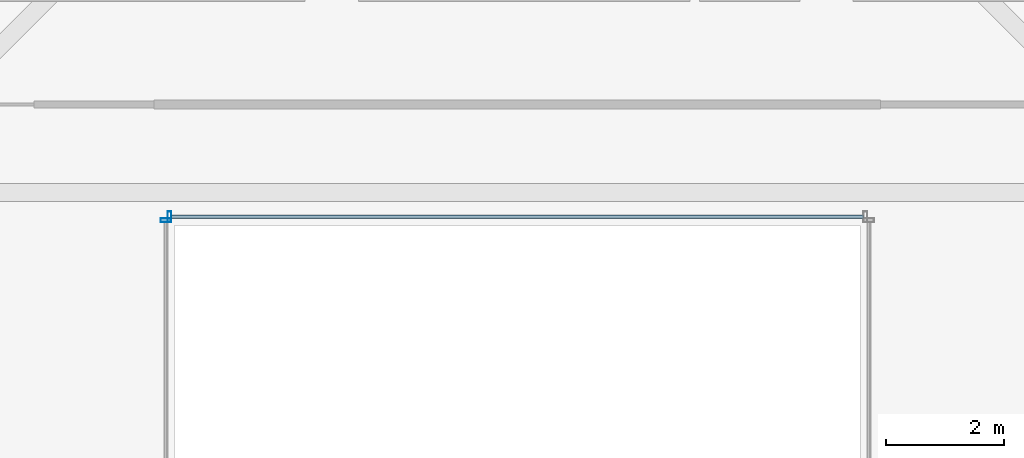
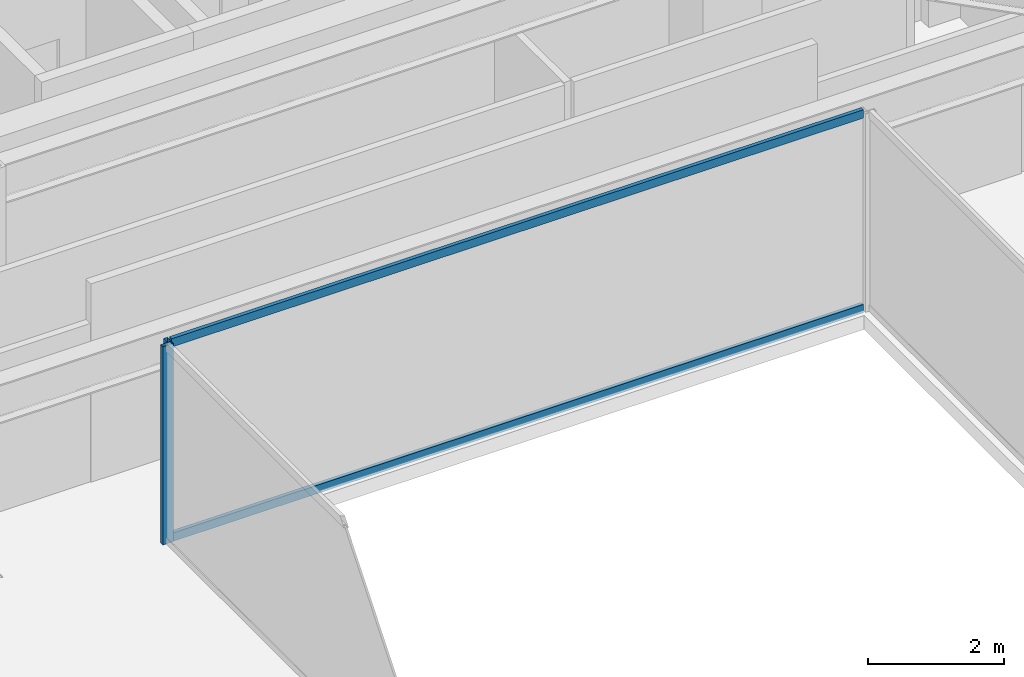
# One storey, part 11 of 37: 4 members, 2 elements without a shape of their own.
"""IFC4 building model written with IfcOpenShell, lengths in metres."""

from ifc_helpers import new_model, si_unit, direction, frame, origin, origin_2d, place, context, subcontext, project, spatial, hollow_rectangle, extrude, material, material_profile, profile_set, type_object, element, aggregate, save


model = new_model("IFC4")

# Units and contexts
model_context = context("Model", 3, precision=1e-05, world=origin(), true_north=direction((0.0, 1.0)))
body_context = subcontext(model_context, "Body", "Model", "MODEL_VIEW")
ifc_project = project(units=[si_unit("LENGTHUNIT", "METRE"), si_unit("AREAUNIT", "SQUARE_METRE"), si_unit("VOLUMEUNIT", "CUBIC_METRE"), si_unit("PLANEANGLEUNIT", "RADIAN"), si_unit("MASSUNIT", "GRAM", prefix="KILO")], contexts=[model_context])

# Site, building, storey
site_placement = place(None, origin())
site = spatial("IfcSite", under=ifc_project, at=site_placement, CompositionType="ELEMENT")
building_placement = place(site_placement, origin())
building = spatial("IfcBuilding", under=site, at=building_placement, Name="Saevonmaru Cultural Tower", CompositionType="ELEMENT")
storey_placement = place(building_placement, frame((0.0, 0.0, 160.0)))
storey = spatial("IfcBuildingStorey", under=building, at=storey_placement, Name="L35", CompositionType="ELEMENT", Elevation=160.0)

# Curtain wall, member
ifc_material = material(Name="Satin Bronze Anodised Aluminium", Category="aluminium")
curtain_wall_type = type_object("IfcCurtainWallType", Name="CW-ATR-GLZ", PredefinedType="NOTDEFINED", material=ifc_material)
curtain_wall_1_placement = place(storey_placement, origin())
curtain_wall_1 = element("IfcCurtainWall", 1, at=curtain_wall_1_placement, inside=storey, type_object=curtain_wall_type, Name="L35 Vertical Atrium Glazed Smoke Screen 3", PredefinedType="NOTDEFINED")
ifc_material_profile_1 = material_profile(ifc_material, hollow_rectangle(XDim=0.06494140625, YDim=0.179931640625, WallThickness=0.00390625, at=origin_2d()), Name="ALU-MULL-180x65x4")
ifc_profile_set_1 = profile_set([ifc_material_profile_1], Name="Satin Bronze Anodised Aluminium")
member_type_1 = type_object("IfcMemberType", Name="ML-CW-INT-180x65", PredefinedType="MULLION", material=ifc_profile_set_1)
member_1_placement = place(storey_placement, frame((24.110107421875, 37.14990234375, 0.0), z_axis=(0.0, 0.0, 1.0), x_axis=(-1.0, 0.0, 0.0)))
member_1 = element("IfcMember", 2, at=member_1_placement, type_object=member_type_1, Name="CW-ATR-L35-3 mullion 2", PredefinedType="MULLION", context=body_context, shape_type="SweptSolid", body=[
    extrude(hollow_rectangle(XDim=0.06494140625, YDim=0.179931640625, WallThickness=0.00390625, at=origin_2d()), origin(), (0.0, 0.0, 1.0), 3.550048828125),
])

curtain_wall_2_placement = place(storey_placement, origin())
curtain_wall_2 = element("IfcCurtainWall", 3, at=curtain_wall_2_placement, inside=storey, type_object=curtain_wall_type, Name="L35 Vertical Atrium Glazed Smoke Screen 4", PredefinedType="NOTDEFINED")
member_2_placement = place(storey_placement, frame((24.050048828125, 37.090087890625, 0.0), z_axis=(0.0, 0.0, 1.0), x_axis=(0.0, -1.0, 0.0)))
member_2 = element("IfcMember", 4, at=member_2_placement, type_object=member_type_1, Name="CW-ATR-L35-4 mullion 1", PredefinedType="MULLION", context=body_context, shape_type="SweptSolid", body=[
    extrude(hollow_rectangle(XDim=0.06494140625, YDim=0.179931640625, WallThickness=0.00390625, at=origin_2d()), origin(), (0.0, 0.0, 1.0), 3.550048828125),
])
aggregate(curtain_wall_2, [member_2])

# Member
ifc_material_profile_2 = material_profile(ifc_material, hollow_rectangle(XDim=0.06494140625, YDim=0.14990234375, WallThickness=0.00390625, at=origin_2d()), Name="ALU-TRAN-150x65x4")
ifc_profile_set_2 = profile_set([ifc_material_profile_2], Name="Satin Bronze Anodised Aluminium")
member_type_2 = type_object("IfcMemberType", Name="TR-CW-INT-150x65", PredefinedType="USERDEFINED", material=ifc_profile_set_2)
member_3_placement = place(storey_placement, frame((35.857421875, 37.14990234375, 0.032470703125), z_axis=(-1.0, 0.0, 0.0), x_axis=(0.0, -1.0, 0.0)))
member_3 = element("IfcMember", 5, at=member_3_placement, type_object=member_type_2, Name="CW-ATR-L35-3 transom 1.1", ObjectType="TRANSOM", PredefinedType="USERDEFINED", context=body_context, shape_type="SweptSolid", body=[
    extrude(hollow_rectangle(XDim=0.06494140625, YDim=0.14990234375, WallThickness=0.00390625, at=origin_2d()), origin(), (0.0, 0.0, 1.0), 11.71484375),
])

member_4_placement = place(storey_placement, frame((35.857421875, 37.14990234375, 3.517578125), z_axis=(-1.0, 0.0, 0.0), x_axis=(0.0, -1.0, 0.0)))
member_4 = element("IfcMember", 6, at=member_4_placement, type_object=member_type_2, Name="CW-ATR-L35-3 transom 1.2", ObjectType="TRANSOM", PredefinedType="USERDEFINED", context=body_context, shape_type="SweptSolid", body=[
    extrude(hollow_rectangle(XDim=0.06494140625, YDim=0.14990234375, WallThickness=0.00390625, at=origin_2d()), origin(), (0.0, 0.0, 1.0), 11.71484375),
])

aggregate(curtain_wall_1, [member_1, member_3, member_4])

save(model, "model.ifc")
